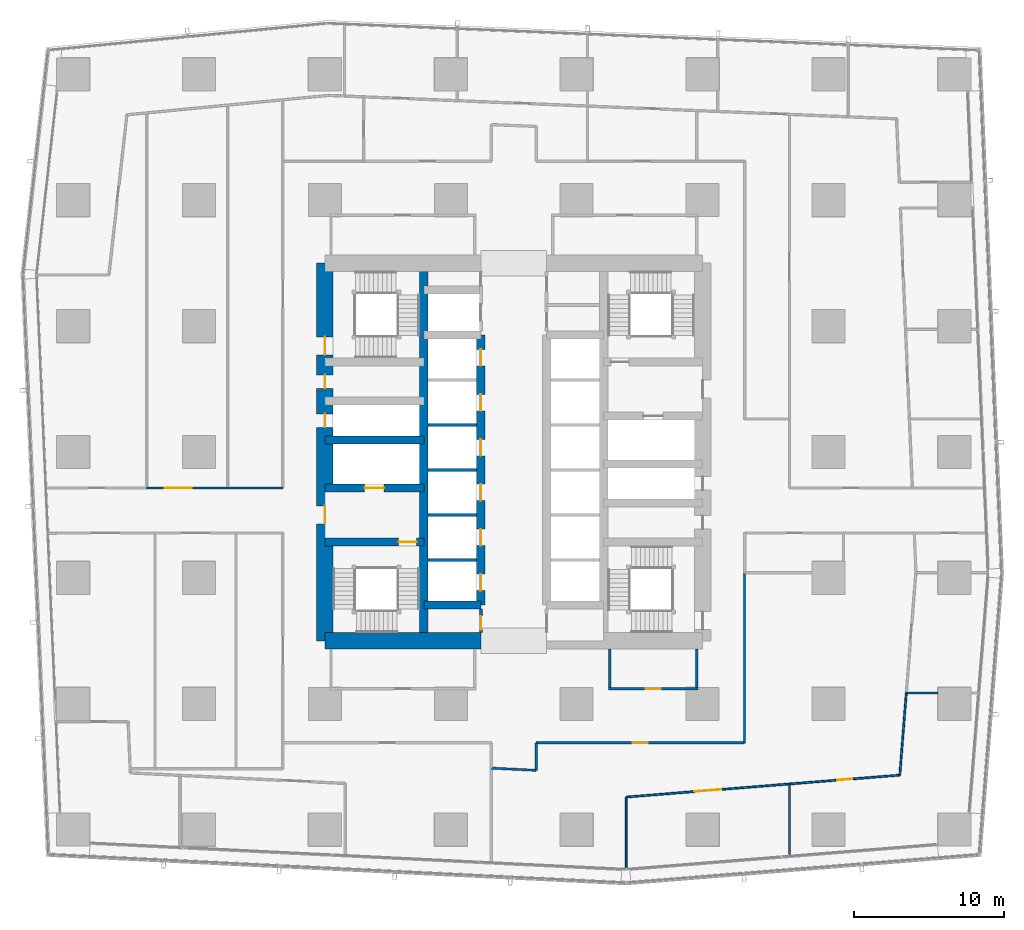
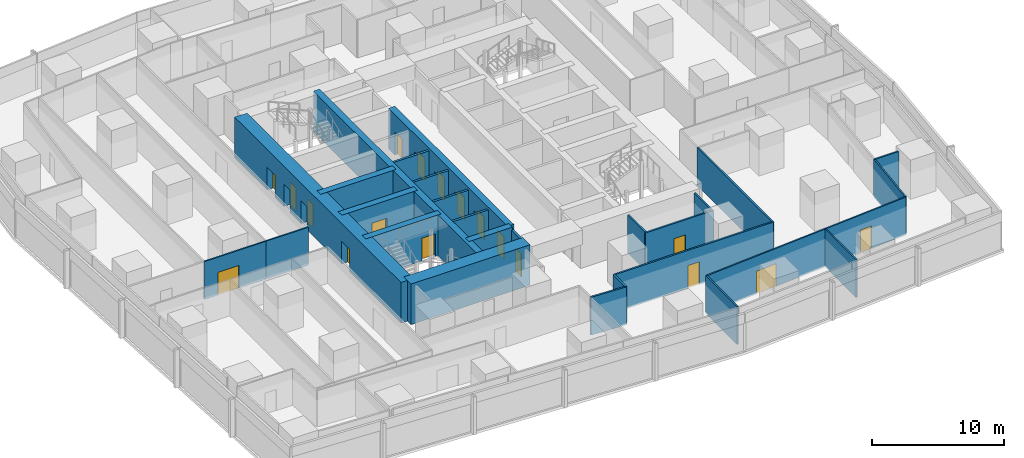
# One storey, part 32 of 44: 28 walls, 18 doors, 18 openings.
"""IFC4 building model written with IfcOpenShell, lengths in metres."""

from ifc_helpers import new_model, si_unit, direction, frame, frame_2d, origin, place, context, subcontext, project, spatial, rectangle, extrude, material, layer, layer_set, type_object, element, fill, save


model = new_model("IFC4")

# Units and contexts
model_context = context("Model", 3, precision=1e-05, world=origin(), true_north=direction((0.0, 1.0)))
body_context = subcontext(model_context, "Body", "Model", "MODEL_VIEW")
ifc_project = project(units=[si_unit("LENGTHUNIT", "METRE"), si_unit("AREAUNIT", "SQUARE_METRE"), si_unit("VOLUMEUNIT", "CUBIC_METRE"), si_unit("PLANEANGLEUNIT", "RADIAN"), si_unit("MASSUNIT", "GRAM", prefix="KILO")], contexts=[model_context])

# Site, building, storey
site_placement = place(None, origin())
site = spatial("IfcSite", under=ifc_project, at=site_placement, CompositionType="ELEMENT")
building_placement = place(site_placement, origin())
building = spatial("IfcBuilding", under=site, at=building_placement, Name="Rekha Terrace Tower", CompositionType="ELEMENT")
storey_placement = place(building_placement, frame((0.0, 0.0, 51.64990234375)))
storey = spatial("IfcBuildingStorey", under=building, at=storey_placement, Name="L12", CompositionType="ELEMENT", Elevation=51.64990234375)

# Wall
ifc_material_1 = material(Name="Concrete M70", Category="concrete")
ifc_layer_1 = layer(ifc_material_1, 0.550048828125)
ifc_layer_set_1 = layer_set([ifc_layer_1], Name="Concrete M70")
wall_type_1 = type_object("IfcWallType", Name="CI1 550 core internal shear wall", PredefinedType="SHEAR", material=ifc_layer_set_1)
wall_1_placement = place(storey_placement, frame((31.800048828125, 21.0, 0.0), z_axis=(0.0, 0.0, 1.0), x_axis=(0.0, 1.0, 0.0)))
element("IfcWall", 1, at=wall_1_placement, inside=storey, type_object=wall_type_1, Name="Core wall X318 L12", PredefinedType="SHEAR", context=body_context, shape_type="SweptSolid", body=[
    extrude(rectangle(XDim=25.199951171875, YDim=0.550048828125, at=frame_2d((12.60009765625, 0.0))), origin(), (0.0, 0.0, 1.0), 3.75),
])

# Wall, openings, doors
wall_2_placement = place(storey_placement, frame((35.60009765625, 23.39990234375, 0.0), z_axis=(0.0, 0.0, 1.0), x_axis=(0.0, 1.0, 0.0)))
wall_2 = element("IfcWall", 2, at=wall_2_placement, inside=storey, type_object=wall_type_1, Name="Core wall X356 L12", PredefinedType="SHEAR", context=body_context, shape_type="SweptSolid", body=[
    extrude(rectangle(XDim=18.0, YDim=0.550048828125, at=frame_2d((9.0, 0.0))), origin(), (0.0, 0.0, 1.0), 3.75),
])
opening_1_placement = place(wall_2_placement, frame((0.949951171875, 0.0, 0.0)))
opening_1 = element("IfcOpeningElement", 3, at=opening_1_placement, cuts=wall_2, Name="Opening LD1", PredefinedType="OPENING", context=body_context, shape_type="SweptSolid", body=[
    extrude(rectangle(XDim=1.10009765625, YDim=2.10009765625, at=frame_2d((0.550048828125, 1.050048828125))), frame((0.0, 0.284912109375, 0.0), z_axis=(0.0, -1.0, 0.0), x_axis=(1.0, 0.0, 0.0)), (0.0, 0.0, 1.0), 0.570068359375),
])
opening_2_placement = place(wall_2_placement, frame((3.949951171875, 0.0, 0.0)))
opening_2 = element("IfcOpeningElement", 4, at=opening_2_placement, cuts=wall_2, Name="Opening LD1", PredefinedType="OPENING", context=body_context, shape_type="SweptSolid", body=[
    extrude(rectangle(XDim=1.10009765625, YDim=2.10009765625, at=frame_2d((0.550048828125, 1.050048828125))), frame((0.0, 0.284912109375, 0.0), z_axis=(0.0, -1.0, 0.0), x_axis=(1.0, 0.0, 0.0)), (0.0, 0.0, 1.0), 0.570068359375),
])
opening_3_placement = place(wall_2_placement, frame((6.949951171875, 0.0, 0.0)))
opening_3 = element("IfcOpeningElement", 5, at=opening_3_placement, cuts=wall_2, Name="Opening LD1", PredefinedType="OPENING", context=body_context, shape_type="SweptSolid", body=[
    extrude(rectangle(XDim=1.10009765625, YDim=2.10009765625, at=frame_2d((0.550048828125, 1.050048828125))), frame((0.0, 0.284912109375, 0.0), z_axis=(0.0, -1.0, 0.0), x_axis=(1.0, 0.0, 0.0)), (0.0, 0.0, 1.0), 0.570068359375),
])
opening_4_placement = place(wall_2_placement, frame((9.949951171875, 0.0, 0.0)))
opening_4 = element("IfcOpeningElement", 6, at=opening_4_placement, cuts=wall_2, Name="Opening LD1", PredefinedType="OPENING", context=body_context, shape_type="SweptSolid", body=[
    extrude(rectangle(XDim=1.10009765625, YDim=2.10009765625, at=frame_2d((0.550048828125, 1.050048828125))), frame((0.0, 0.284912109375, 0.0), z_axis=(0.0, -1.0, 0.0), x_axis=(1.0, 0.0, 0.0)), (0.0, 0.0, 1.0), 0.570068359375),
])
opening_5_placement = place(wall_2_placement, frame((12.949951171875, 0.0, 0.0)))
opening_5 = element("IfcOpeningElement", 7, at=opening_5_placement, cuts=wall_2, Name="Opening LD1", PredefinedType="OPENING", context=body_context, shape_type="SweptSolid", body=[
    extrude(rectangle(XDim=1.10009765625, YDim=2.10009765625, at=frame_2d((0.550048828125, 1.050048828125))), frame((0.0, 0.284912109375, 0.0), z_axis=(0.0, -1.0, 0.0), x_axis=(1.0, 0.0, 0.0)), (0.0, 0.0, 1.0), 0.570068359375),
])
opening_6_placement = place(wall_2_placement, frame((15.949951171875, 0.0, 0.0)))
opening_6 = element("IfcOpeningElement", 8, at=opening_6_placement, cuts=wall_2, Name="Opening LD1", PredefinedType="OPENING", context=body_context, shape_type="SweptSolid", body=[
    extrude(rectangle(XDim=1.10009765625, YDim=2.10009765625, at=frame_2d((0.550048828125, 1.050048828125))), frame((0.0, 0.284912109375, 0.0), z_axis=(0.0, -1.0, 0.0), x_axis=(1.0, 0.0, 0.0)), (0.0, 0.0, 1.0), 0.570068359375),
])
ifc_material_2 = material(Name="Stainless steel sliding landing door", Category="steel")
door_type_1 = type_object("IfcDoorType", Name="LD1 1100x2100 lift landing door", OperationType="SLIDING_TO_LEFT", PredefinedType="USERDEFINED", material=ifc_material_2)
door_1_placement = place(opening_1_placement, origin())
door_1 = element("IfcDoor", 9, at=door_1_placement, inside=storey, type_object=door_type_1, Name="Lift A1 landing door L12", ObjectType="LIFT LANDING DOOR", OperationType="SLIDING_TO_LEFT", OverallHeight=2.10009765625, OverallWidth=1.10009765625, PredefinedType="USERDEFINED", context=body_context, shape_type="SweptSolid", body=[
    extrude(rectangle(XDim=1.10009765625, YDim=2.10009765625, at=frame_2d((0.550048828125, 1.050048828125))), frame((0.0, 0.02490234375, 0.0), z_axis=(0.0, -1.0, 0.0), x_axis=(1.0, 0.0, 0.0)), (0.0, 0.0, 1.0), 0.050048828125),
])
fill(opening_1, door_1)
door_2_placement = place(opening_2_placement, origin())
door_2 = element("IfcDoor", 10, at=door_2_placement, inside=storey, type_object=door_type_1, Name="Lift A2 landing door L12", ObjectType="LIFT LANDING DOOR", OperationType="SLIDING_TO_LEFT", OverallHeight=2.10009765625, OverallWidth=1.10009765625, PredefinedType="USERDEFINED", context=body_context, shape_type="SweptSolid", body=[
    extrude(rectangle(XDim=1.10009765625, YDim=2.10009765625, at=frame_2d((0.550048828125, 1.050048828125))), frame((0.0, 0.02490234375, 0.0), z_axis=(0.0, -1.0, 0.0), x_axis=(1.0, 0.0, 0.0)), (0.0, 0.0, 1.0), 0.050048828125),
])
fill(opening_2, door_2)
door_3_placement = place(opening_3_placement, origin())
door_3 = element("IfcDoor", 11, at=door_3_placement, inside=storey, type_object=door_type_1, Name="Lift A3 landing door L12", ObjectType="LIFT LANDING DOOR", OperationType="SLIDING_TO_LEFT", OverallHeight=2.10009765625, OverallWidth=1.10009765625, PredefinedType="USERDEFINED", context=body_context, shape_type="SweptSolid", body=[
    extrude(rectangle(XDim=1.10009765625, YDim=2.10009765625, at=frame_2d((0.550048828125, 1.050048828125))), frame((0.0, 0.02490234375, 0.0), z_axis=(0.0, -1.0, 0.0), x_axis=(1.0, 0.0, 0.0)), (0.0, 0.0, 1.0), 0.050048828125),
])
fill(opening_3, door_3)
door_4_placement = place(opening_4_placement, origin())
door_4 = element("IfcDoor", 12, at=door_4_placement, inside=storey, type_object=door_type_1, Name="Lift A4 landing door L12", ObjectType="LIFT LANDING DOOR", OperationType="SLIDING_TO_LEFT", OverallHeight=2.10009765625, OverallWidth=1.10009765625, PredefinedType="USERDEFINED", context=body_context, shape_type="SweptSolid", body=[
    extrude(rectangle(XDim=1.10009765625, YDim=2.10009765625, at=frame_2d((0.550048828125, 1.050048828125))), frame((0.0, 0.02490234375, 0.0), z_axis=(0.0, -1.0, 0.0), x_axis=(1.0, 0.0, 0.0)), (0.0, 0.0, 1.0), 0.050048828125),
])
fill(opening_4, door_4)
door_5_placement = place(opening_5_placement, origin())
door_5 = element("IfcDoor", 13, at=door_5_placement, inside=storey, type_object=door_type_1, Name="Lift A5 landing door L12", ObjectType="LIFT LANDING DOOR", OperationType="SLIDING_TO_LEFT", OverallHeight=2.10009765625, OverallWidth=1.10009765625, PredefinedType="USERDEFINED", context=body_context, shape_type="SweptSolid", body=[
    extrude(rectangle(XDim=1.10009765625, YDim=2.10009765625, at=frame_2d((0.550048828125, 1.050048828125))), frame((0.0, 0.02490234375, 0.0), z_axis=(0.0, -1.0, 0.0), x_axis=(1.0, 0.0, 0.0)), (0.0, 0.0, 1.0), 0.050048828125),
])
fill(opening_5, door_5)
door_6_placement = place(opening_6_placement, origin())
door_6 = element("IfcDoor", 14, at=door_6_placement, inside=storey, type_object=door_type_1, Name="Lift A6 landing door L12", ObjectType="LIFT LANDING DOOR", OperationType="SLIDING_TO_LEFT", OverallHeight=2.10009765625, OverallWidth=1.10009765625, PredefinedType="USERDEFINED", context=body_context, shape_type="SweptSolid", body=[
    extrude(rectangle(XDim=1.10009765625, YDim=2.10009765625, at=frame_2d((0.550048828125, 1.050048828125))), frame((0.0, 0.02490234375, 0.0), z_axis=(0.0, -1.0, 0.0), x_axis=(1.0, 0.0, 0.0)), (0.0, 0.0, 1.0), 0.050048828125),
])
fill(opening_6, door_6)

# Wall
wall_3_placement = place(storey_placement, frame((31.800048828125, 23.39990234375, 0.0), z_axis=(0.0, 0.0, 1.0), x_axis=(1.0, 0.0, 0.0)))
element("IfcWall", 15, at=wall_3_placement, inside=storey, type_object=wall_type_1, Name="Core wall Y234W L12", PredefinedType="SHEAR", context=body_context, shape_type="SweptSolid", body=[
    extrude(rectangle(XDim=3.800048828125, YDim=0.550048828125, at=frame_2d((1.89990234375, 0.0))), origin(), (0.0, 0.0, 1.0), 3.75),
])

# Wall, opening, door
wall_4_placement = place(storey_placement, frame((25.199951171875, 27.60009765625, 0.0), z_axis=(0.0, 0.0, 1.0), x_axis=(1.0, 0.0, 0.0)))
wall_4 = element("IfcWall", 16, at=wall_4_placement, inside=storey, type_object=wall_type_1, Name="Core wall Y276W L12", PredefinedType="SHEAR", context=body_context, shape_type="SweptSolid", body=[
    extrude(rectangle(XDim=6.60009765625, YDim=0.550048828125, at=frame_2d((3.300048828125, 0.0))), origin(), (0.0, 0.0, 1.0), 3.75),
])
opening_7_placement = place(wall_4_placement, frame((4.925048828125, 0.0, 0.0)))
opening_7 = element("IfcOpeningElement", 17, at=opening_7_placement, cuts=wall_4, Name="Opening D1", PredefinedType="OPENING", context=body_context, shape_type="SweptSolid", body=[
    extrude(rectangle(XDim=1.199951171875, YDim=2.10009765625, at=frame_2d((0.60009765625, 1.050048828125))), frame((0.0, 0.284912109375, 0.0), z_axis=(0.0, -1.0, 0.0), x_axis=(1.0, 0.0, 0.0)), (0.0, 0.0, 1.0), 0.570068359375),
])
ifc_material_3 = material(Name="Steel fire door", Category="steel")
door_type_2 = type_object("IfcDoorType", Name="D1 1200x2100 stair fire door", OperationType="SINGLE_SWING_RIGHT", PredefinedType="DOOR", material=ifc_material_3)
door_7_placement = place(opening_7_placement, origin())
door_7 = element("IfcDoor", 18, at=door_7_placement, inside=storey, type_object=door_type_2, Name="Stair ST1 door L12", OperationType="SINGLE_SWING_RIGHT", OverallHeight=2.10009765625, OverallWidth=1.199951171875, PredefinedType="DOOR", context=body_context, shape_type="SweptSolid", body=[
    extrude(rectangle(XDim=1.199951171875, YDim=2.10009765625, at=frame_2d((0.60009765625, 1.050048828125))), frame((0.0, 0.02490234375, 0.0), z_axis=(0.0, -1.0, 0.0), x_axis=(1.0, 0.0, 0.0)), (0.0, 0.0, 1.0), 0.050048828125),
])
fill(opening_7, door_7)

wall_5_placement = place(storey_placement, frame((25.199951171875, 31.199951171875, 0.0), z_axis=(0.0, 0.0, 1.0), x_axis=(1.0, 0.0, 0.0)))
wall_5 = element("IfcWall", 19, at=wall_5_placement, inside=storey, type_object=wall_type_1, Name="Core wall Y312W L12", PredefinedType="SHEAR", context=body_context, shape_type="SweptSolid", body=[
    extrude(rectangle(XDim=6.60009765625, YDim=0.550048828125, at=frame_2d((3.300048828125, 0.0))), origin(), (0.0, 0.0, 1.0), 3.75),
])
opening_8_placement = place(wall_5_placement, frame((2.64990234375, 0.0, 0.0)))
opening_8 = element("IfcOpeningElement", 20, at=opening_8_placement, cuts=wall_5, Name="Opening LD2", PredefinedType="OPENING", context=body_context, shape_type="SweptSolid", body=[
    extrude(rectangle(XDim=1.300048828125, YDim=2.10009765625, at=frame_2d((0.64990234375, 1.050048828125))), frame((0.0, 0.284912109375, 0.0), z_axis=(0.0, -1.0, 0.0), x_axis=(1.0, 0.0, 0.0)), (0.0, 0.0, 1.0), 0.570068359375),
])
door_type_3 = type_object("IfcDoorType", Name="LD2 1300x2100 fire lift landing door", OperationType="SLIDING_TO_LEFT", PredefinedType="USERDEFINED", material=ifc_material_2)
door_8_placement = place(opening_8_placement, origin())
door_8 = element("IfcDoor", 21, at=door_8_placement, inside=storey, type_object=door_type_3, Name="Lift FL1 landing door L12", ObjectType="LIFT LANDING DOOR", OperationType="SLIDING_TO_LEFT", OverallHeight=2.10009765625, OverallWidth=1.300048828125, PredefinedType="USERDEFINED", context=body_context, shape_type="SweptSolid", body=[
    extrude(rectangle(XDim=1.300048828125, YDim=2.10009765625, at=frame_2d((0.64990234375, 1.050048828125))), frame((0.0, 0.02490234375, 0.0), z_axis=(0.0, -1.0, 0.0), x_axis=(1.0, 0.0, 0.0)), (0.0, 0.0, 1.0), 0.050048828125),
])
fill(opening_8, door_8)

# Walls
wall_6_placement = place(storey_placement, frame((25.199951171875, 34.39990234375, 0.0), z_axis=(0.0, 0.0, 1.0), x_axis=(1.0, 0.0, 0.0)))
element("IfcWall", 22, at=wall_6_placement, inside=storey, type_object=wall_type_1, Name="Core wall Y344W L12", PredefinedType="SHEAR", context=body_context, shape_type="SweptSolid", body=[
    extrude(rectangle(XDim=6.60009765625, YDim=0.550048828125, at=frame_2d((3.300048828125, 0.0))), origin(), (0.0, 0.0, 1.0), 3.75),
])
ifc_layer_2 = layer(ifc_material_1, 1.10009765625)
ifc_layer_set_2 = layer_set([ifc_layer_2], Name="Concrete M70")
wall_type_2 = type_object("IfcWallType", Name="SW1 1100 core outer shear wall", PredefinedType="SHEAR", material=ifc_layer_set_2)
wall_7_placement = place(storey_placement, frame((25.199951171875, 21.0, 0.0), z_axis=(0.0, 0.0, 1.0), x_axis=(1.0, 0.0, 0.0)))
element("IfcWall", 23, at=wall_7_placement, inside=storey, type_object=wall_type_2, Name="Core wall S1 L12", PredefinedType="SHEAR", context=body_context, shape_type="SweptSolid", body=[
    extrude(rectangle(XDim=10.400146484375, YDim=1.10009765625, at=frame_2d((5.2001953125, 0.0))), origin(), (0.0, 0.0, 1.0), 3.75),
])

# Wall, openings, doors
wall_8_placement = place(storey_placement, frame((25.199951171875, 21.0, 0.0), z_axis=(0.0, 0.0, 1.0), x_axis=(0.0, 1.0, 0.0)))
wall_8 = element("IfcWall", 24, at=wall_8_placement, inside=storey, type_object=wall_type_2, Name="Core wall W L12", PredefinedType="SHEAR", context=body_context, shape_type="SweptSolid", body=[
    extrude(rectangle(XDim=25.199951171875, YDim=1.10009765625, at=frame_2d((12.60009765625, 0.0))), origin(), (0.0, 0.0, 1.0), 3.75),
])
opening_9_placement = place(wall_8_placement, frame((7.800048828125, 0.0, 0.0)))
opening_9 = element("IfcOpeningElement", 25, at=opening_9_placement, cuts=wall_8, Name="Opening D2", PredefinedType="OPENING", context=body_context, shape_type="SweptSolid", body=[
    extrude(rectangle(XDim=1.199951171875, YDim=2.10009765625, at=frame_2d((0.60009765625, 1.050048828125))), frame((0.0, 0.56005859375, 0.0), z_axis=(0.0, -1.0, 0.0), x_axis=(1.0, 0.0, 0.0)), (0.0, 0.0, 1.0), 1.1201171875),
])
opening_10_placement = place(wall_8_placement, frame((14.25, 0.0, 0.0)))
opening_10 = element("IfcOpeningElement", 26, at=opening_10_placement, cuts=wall_8, Name="Opening D5", PredefinedType="OPENING", context=body_context, shape_type="SweptSolid", body=[
    extrude(rectangle(XDim=0.89990234375, YDim=2.10009765625, at=frame_2d((0.449951171875, 1.050048828125))), frame((0.0, 0.56005859375, 0.0), z_axis=(0.0, -1.0, 0.0), x_axis=(1.0, 0.0, 0.0)), (0.0, 0.0, 1.0), 1.1201171875),
])
opening_11_placement = place(wall_8_placement, frame((16.85009765625, 0.0, 0.0)))
opening_11 = element("IfcOpeningElement", 27, at=opening_11_placement, cuts=wall_8, Name="Opening D5", PredefinedType="OPENING", context=body_context, shape_type="SweptSolid", body=[
    extrude(rectangle(XDim=0.89990234375, YDim=2.10009765625, at=frame_2d((0.449951171875, 1.050048828125))), frame((0.0, 0.56005859375, 0.0), z_axis=(0.0, -1.0, 0.0), x_axis=(1.0, 0.0, 0.0)), (0.0, 0.0, 1.0), 1.1201171875),
])
opening_12_placement = place(wall_8_placement, frame((19.074951171875, 0.0, 0.0)))
opening_12 = element("IfcOpeningElement", 28, at=opening_12_placement, cuts=wall_8, Name="Opening D1", PredefinedType="OPENING", context=body_context, shape_type="SweptSolid", body=[
    extrude(rectangle(XDim=1.199951171875, YDim=2.10009765625, at=frame_2d((0.60009765625, 1.050048828125))), frame((0.0, 0.56005859375, 0.0), z_axis=(0.0, -1.0, 0.0), x_axis=(1.0, 0.0, 0.0)), (0.0, 0.0, 1.0), 1.1201171875),
])
door_9_placement = place(opening_12_placement, origin())
door_9 = element("IfcDoor", 29, at=door_9_placement, inside=storey, type_object=door_type_2, Name="Stair ST4 door L12", OperationType="SINGLE_SWING_RIGHT", OverallHeight=2.10009765625, OverallWidth=1.199951171875, PredefinedType="DOOR", context=body_context, shape_type="SweptSolid", body=[
    extrude(rectangle(XDim=1.199951171875, YDim=2.10009765625, at=frame_2d((0.60009765625, 1.050048828125))), frame((0.0, 0.02490234375, 0.0), z_axis=(0.0, -1.0, 0.0), x_axis=(1.0, 0.0, 0.0)), (0.0, 0.0, 1.0), 0.050048828125),
])
fill(opening_12, door_9)
door_type_4 = type_object("IfcDoorType", Name="D2 1200x2100 firefighting lobby door", OperationType="SINGLE_SWING_LEFT", PredefinedType="DOOR", material=ifc_material_3)
door_10_placement = place(opening_9_placement, origin())
door_10 = element("IfcDoor", 30, at=door_10_placement, inside=storey, type_object=door_type_4, Name="Door flb1 L12", OperationType="SINGLE_SWING_LEFT", OverallHeight=2.10009765625, OverallWidth=1.199951171875, PredefinedType="DOOR", context=body_context, shape_type="SweptSolid", body=[
    extrude(rectangle(XDim=1.199951171875, YDim=2.10009765625, at=frame_2d((0.60009765625, 1.050048828125))), frame((0.0, 0.02490234375, 0.0), z_axis=(0.0, -1.0, 0.0), x_axis=(1.0, 0.0, 0.0)), (0.0, 0.0, 1.0), 0.050048828125),
])
fill(opening_9, door_10)
door_type_5 = type_object("IfcDoorType", Name="D5 900x2100 riser access door", OperationType="SINGLE_SWING_LEFT", PredefinedType="DOOR", material=ifc_material_3)
door_11_placement = place(opening_10_placement, origin())
door_11 = element("IfcDoor", 31, at=door_11_placement, inside=storey, type_object=door_type_5, Name="Door rs1 L12", OperationType="SINGLE_SWING_LEFT", OverallHeight=2.10009765625, OverallWidth=0.89990234375, PredefinedType="DOOR", context=body_context, shape_type="SweptSolid", body=[
    extrude(rectangle(XDim=0.89990234375, YDim=2.10009765625, at=frame_2d((0.449951171875, 1.050048828125))), frame((0.0, 0.02490234375, 0.0), z_axis=(0.0, -1.0, 0.0), x_axis=(1.0, 0.0, 0.0)), (0.0, 0.0, 1.0), 0.050048828125),
])
fill(opening_10, door_11)
door_12_placement = place(opening_11_placement, origin())
door_12 = element("IfcDoor", 32, at=door_12_placement, inside=storey, type_object=door_type_5, Name="Door elw L12", OperationType="SINGLE_SWING_LEFT", OverallHeight=2.10009765625, OverallWidth=0.89990234375, PredefinedType="DOOR", context=body_context, shape_type="SweptSolid", body=[
    extrude(rectangle(XDim=0.89990234375, YDim=2.10009765625, at=frame_2d((0.449951171875, 1.050048828125))), frame((0.0, 0.02490234375, 0.0), z_axis=(0.0, -1.0, 0.0), x_axis=(1.0, 0.0, 0.0)), (0.0, 0.0, 1.0), 0.050048828125),
])
fill(opening_11, door_12)

# Wall, opening, door
ifc_material_4 = material(Name="Concrete block masonry, 1 hour", Category="masonry")
ifc_layer_3 = layer(ifc_material_4, 0.14990234375)
ifc_layer_set_3 = layer_set([ifc_layer_3], Name="Concrete block masonry, 1 hour")
wall_type_3 = type_object("IfcWallType", Name="WP2 150 tenancy partition", PredefinedType="PARTITIONING", material=ifc_layer_set_3)
wall_9_placement = place(storey_placement, frame((44.125, 17.800048828125, 0.0), z_axis=(0.0, 0.0, 1.0), x_axis=(1.0, 0.0, 0.0)))
wall_9 = element("IfcWall", 33, at=wall_9_placement, inside=storey, type_object=wall_type_3, Name="Men's WC wall L12", PredefinedType="PARTITIONING", context=body_context, shape_type="SweptSolid", body=[
    extrude(rectangle(XDim=5.949951171875, YDim=0.14990234375, at=frame_2d((2.97509765625, 0.0))), origin(), (0.0, 0.0, 1.0), 3.5),
])
opening_13_placement = place(wall_9_placement, frame((2.47509765625, 0.0, 0.0)))
opening_13 = element("IfcOpeningElement", 34, at=opening_13_placement, cuts=wall_9, Name="Opening D3", PredefinedType="OPENING", context=body_context, shape_type="SweptSolid", body=[
    extrude(rectangle(XDim=1.0, YDim=2.10009765625, at=frame_2d((0.5, 1.050048828125))), frame((0.0, 0.0849609375, 0.0), z_axis=(0.0, -1.0, 0.0), x_axis=(1.0, 0.0, 0.0)), (0.0, 0.0, 1.0), 0.169921875),
])
ifc_material_5 = material(Name="Laminated timber fire door", Category="wood")
door_type_6 = type_object("IfcDoorType", Name="D3 1000x2100 WC door", OperationType="SINGLE_SWING_LEFT", PredefinedType="DOOR", material=ifc_material_5)
door_13_placement = place(opening_13_placement, origin())
door_13 = element("IfcDoor", 35, at=door_13_placement, inside=storey, type_object=door_type_6, Name="Door men's wc L12", OperationType="SINGLE_SWING_LEFT", OverallHeight=2.10009765625, OverallWidth=1.0, PredefinedType="DOOR", context=body_context, shape_type="SweptSolid", body=[
    extrude(rectangle(XDim=1.0, YDim=2.10009765625, at=frame_2d((0.5, 1.050048828125))), frame((0.0, 0.02490234375, 0.0), z_axis=(0.0, -1.0, 0.0), x_axis=(1.0, 0.0, 0.0)), (0.0, 0.0, 1.0), 0.050048828125),
])
fill(opening_13, door_13)

# Walls
for number, where, z_axis, x_axis, name in (
    (36, (44.199951171875, 17.875, 0.0), (0.0, 0.0, 1.0), (0.0, 1.0, 0.0), "Men's WC wall L12"),
    (37, (50.0, 17.875, 0.0), (0.0, 0.0, 1.0), (0.0, 1.0, 0.0), "Men's WC wall L12"),
):
    element("IfcWall", number, at=place(storey_placement, frame(where, z_axis=z_axis, x_axis=x_axis)), inside=storey, type_object=wall_type_3, Name=name, PredefinedType="PARTITIONING", context=body_context, shape_type="SweptSolid", body=[
        extrude(rectangle(XDim=2.574951171875, YDim=0.14990234375, at=frame_2d((1.28759765625, 0.0))), origin(), (0.0, 0.0, 1.0), 3.5),
    ])
wall_10_placement = place(storey_placement, frame((36.301025390625, 12.510009765625, 0.0), z_axis=(0.0, 0.0, 1.0), x_axis=(0.998801323594, -0.048948094823, 0.0)))
element("IfcWall", 38, at=wall_10_placement, inside=storey, type_object=wall_type_3, Name="Partition L12-O1", PredefinedType="PARTITIONING", context=body_context, shape_type="SweptSolid", body=[
    extrude(rectangle(XDim=3.002685546875, YDim=0.14990234375, at=frame_2d((1.50146484375, 0.0))), origin(), (0.0, 0.0, 1.0), 3.5),
])
wall_11_placement = place(storey_placement, frame((39.300048828125, 12.363037109375, 0.0), z_axis=(0.0, 0.0, 1.0), x_axis=(0.0, 1.0, 0.0)))
element("IfcWall", 39, at=wall_11_placement, inside=storey, type_object=wall_type_3, Name="Partition L12-O1", PredefinedType="PARTITIONING", context=body_context, shape_type="SweptSolid", body=[
    extrude(rectangle(XDim=1.8369140625, YDim=0.14990234375, at=frame_2d((0.91845703125, 0.0))), origin(), (0.0, 0.0, 1.0), 3.5),
])

# Wall, opening, door
wall_12_placement = place(storey_placement, frame((39.300048828125, 14.199951171875, 0.0), z_axis=(0.0, 0.0, 1.0), x_axis=(1.0, 0.0, 0.0)))
wall_12 = element("IfcWall", 40, at=wall_12_placement, inside=storey, type_object=wall_type_3, Name="Partition L12-O1", PredefinedType="PARTITIONING", context=body_context, shape_type="SweptSolid", body=[
    extrude(rectangle(XDim=13.89990234375, YDim=0.14990234375, at=frame_2d((6.949951171875, 0.0))), origin(), (0.0, 0.0, 1.0), 3.5),
])
opening_14_placement = place(wall_12_placement, frame((6.449951171875, 0.0, 0.0)))
opening_14 = element("IfcOpeningElement", 41, at=opening_14_placement, cuts=wall_12, Name="Opening D9", PredefinedType="OPENING", context=body_context, shape_type="SweptSolid", body=[
    extrude(rectangle(XDim=1.0, YDim=2.10009765625, at=frame_2d((0.5, 1.050048828125))), frame((0.0, 0.0849609375, 0.0), z_axis=(0.0, -1.0, 0.0), x_axis=(1.0, 0.0, 0.0)), (0.0, 0.0, 1.0), 0.169921875),
])
ifc_material_6 = material(Name="Timber fire door", Category="wood")
door_type_7 = type_object("IfcDoorType", Name="D9 1000x2100 office door", OperationType="SINGLE_SWING_LEFT", PredefinedType="DOOR", material=ifc_material_6)
door_14_placement = place(opening_14_placement, origin())
door_14 = element("IfcDoor", 42, at=door_14_placement, inside=storey, type_object=door_type_7, Name="Door open-plan office L12", OperationType="SINGLE_SWING_LEFT", OverallHeight=2.10009765625, OverallWidth=1.0, PredefinedType="DOOR", context=body_context, shape_type="SweptSolid", body=[
    extrude(rectangle(XDim=1.0, YDim=2.10009765625, at=frame_2d((0.5, 1.050048828125))), frame((0.0, 0.02490234375, 0.0), z_axis=(0.0, -1.0, 0.0), x_axis=(1.0, 0.0, 0.0)), (0.0, 0.0, 1.0), 0.050048828125),
])
fill(opening_14, door_14)

# Wall
wall_13_placement = place(storey_placement, frame((53.199951171875, 14.199951171875, 0.0), z_axis=(0.0, 0.0, 1.0), x_axis=(0.0, 1.0, 0.0)))
element("IfcWall", 43, at=wall_13_placement, inside=storey, type_object=wall_type_3, Name="Partition L12-O1", PredefinedType="PARTITIONING", context=body_context, shape_type="SweptSolid", body=[
    extrude(rectangle(XDim=11.35205078125, YDim=0.14990234375, at=frame_2d((5.676025390625, 0.0))), origin(), (0.0, 0.0, 1.0), 3.5),
])

# Wall, opening, door
ifc_material_7 = material(Name="Two layers of fire-rated gypsum board each side on steel studs, acoustic quilt, 1 hour", Category="steel")
ifc_layer_4 = layer(ifc_material_7, 0.125)
ifc_layer_set_4 = layer_set([ifc_layer_4], Name="Two layers of fire-rated gypsum board each side on steel studs, acoustic quilt, 1 hour")
wall_type_4 = type_object("IfcWallType", Name="WP3 125 office partition", PredefinedType="PARTITIONING", material=ifc_layer_set_4)
wall_14_placement = place(storey_placement, frame((45.304931640625, 10.580078125, 0.0), z_axis=(0.0, 0.0, 1.0), x_axis=(0.99680425646, 0.079882878656, 0.0)))
wall_14 = element("IfcWall", 44, at=wall_14_placement, inside=storey, type_object=wall_type_4, Name="Partition L12-02", PredefinedType="PARTITIONING", context=body_context, shape_type="SweptSolid", body=[
    extrude(rectangle(XDim=10.926025390625, YDim=0.125, at=frame_2d((5.462890625, 0.0))), origin(), (0.0, 0.0, 1.0), 3.5),
])
opening_15_placement = place(wall_14_placement, frame((4.56298828125, 0.0, 0.0)))
opening_15 = element("IfcOpeningElement", 45, at=opening_15_placement, cuts=wall_14, Name="Opening D8", PredefinedType="OPENING", context=body_context, shape_type="SweptSolid", body=[
    extrude(rectangle(XDim=1.800048828125, YDim=2.10009765625, at=frame_2d((0.89990234375, 1.050048828125))), frame((0.0, 0.072509765625, 0.0), z_axis=(0.0, -1.0, 0.0), x_axis=(1.0, 0.0, 0.0)), (0.0, 0.0, 1.0), 0.14501953125),
])
door_type_8 = type_object("IfcDoorType", Name="D8 1800x2100 double leaf door", OperationType="DOUBLE_DOOR_SINGLE_SWING", PredefinedType="DOOR", material=ifc_material_6)
door_15_placement = place(opening_15_placement, origin())
door_15 = element("IfcDoor", 46, at=door_15_placement, inside=storey, type_object=door_type_8, Name="Door reference library L12", OperationType="DOUBLE_DOOR_SINGLE_SWING", OverallHeight=2.10009765625, OverallWidth=1.800048828125, PredefinedType="DOOR", context=body_context, shape_type="SweptSolid", body=[
    extrude(rectangle(XDim=1.800048828125, YDim=2.10009765625, at=frame_2d((0.89990234375, 1.050048828125))), frame((0.0, 0.02490234375, 0.0), z_axis=(0.0, -1.0, 0.0), x_axis=(1.0, 0.0, 0.0)), (0.0, 0.0, 1.0), 0.050048828125),
])
fill(opening_15, door_15)

# Walls
wall_15_placement = place(storey_placement, frame((56.196044921875, 11.452880859375, 0.0), z_axis=(0.0, 0.0, 1.0), x_axis=(0.0, -1.0, 0.0)))
element("IfcWall", 47, at=wall_15_placement, inside=storey, type_object=wall_type_4, Name="Partition L12-02", PredefinedType="PARTITIONING", context=body_context, shape_type="SweptSolid", body=[
    extrude(rectangle(XDim=4.73583984375, YDim=0.125, at=frame_2d((2.367919921875, 0.0))), origin(), (0.0, 0.0, 1.0), 3.5),
])
wall_16_placement = place(storey_placement, frame((45.304931640625, 5.844970703125, 0.0), z_axis=(0.0, 0.0, 1.0), x_axis=(0.0, 1.0, 0.0)))
element("IfcWall", 48, at=wall_16_placement, inside=storey, type_object=wall_type_4, Name="Partition L12-02", PredefinedType="PARTITIONING", context=body_context, shape_type="SweptSolid", body=[
    extrude(rectangle(XDim=4.735107421875, YDim=0.125, at=frame_2d((2.36767578125, 0.0))), origin(), (0.0, 0.0, 1.0), 3.5),
])

# Wall, opening, door
wall_17_placement = place(storey_placement, frame((56.197021484375, 11.452880859375, 0.0), z_axis=(0.0, 0.0, 1.0), x_axis=(0.996809280439, 0.079820163062, 0.0)))
wall_17 = element("IfcWall", 49, at=wall_17_placement, inside=storey, type_object=wall_type_4, Name="Partition L12-03", PredefinedType="PARTITIONING", context=body_context, shape_type="SweptSolid", body=[
    extrude(rectangle(XDim=7.38037109375, YDim=0.125, at=frame_2d((3.690185546875, 0.0))), origin(), (0.0, 0.0, 1.0), 3.5),
])
opening_16_placement = place(wall_17_placement, frame((3.18994140625, 0.0, 0.0)))
opening_16 = element("IfcOpeningElement", 50, at=opening_16_placement, cuts=wall_17, Name="Opening D9", PredefinedType="OPENING", context=body_context, shape_type="SweptSolid", body=[
    extrude(rectangle(XDim=1.0, YDim=2.10009765625, at=frame_2d((0.5, 1.050048828125))), frame((0.0, 0.072509765625, 0.0), z_axis=(0.0, -1.0, 0.0), x_axis=(1.0, 0.0, 0.0)), (0.0, 0.0, 1.0), 0.14501953125),
])
door_16_placement = place(opening_16_placement, origin())
door_16 = element("IfcDoor", 51, at=door_16_placement, inside=storey, type_object=door_type_7, Name="Door director's office L12", OperationType="SINGLE_SWING_LEFT", OverallHeight=2.10009765625, OverallWidth=1.0, PredefinedType="DOOR", context=body_context, shape_type="SweptSolid", body=[
    extrude(rectangle(XDim=1.0, YDim=2.10009765625, at=frame_2d((0.5, 1.050048828125))), frame((0.0, 0.02490234375, 0.0), z_axis=(0.0, -1.0, 0.0), x_axis=(1.0, 0.0, 0.0)), (0.0, 0.0, 1.0), 0.050048828125),
])
fill(opening_16, door_16)

# Walls
wall_18_placement = place(storey_placement, frame((63.553955078125, 12.0419921875, 0.0), z_axis=(0.0, 0.0, 1.0), x_axis=(0.078951000854, 0.996878497844, 0.0)))
element("IfcWall", 52, at=wall_18_placement, inside=storey, type_object=wall_type_4, Name="Partition L12-03", PredefinedType="PARTITIONING", context=body_context, shape_type="SweptSolid", body=[
    extrude(rectangle(XDim=5.498046875, YDim=0.125, at=frame_2d((2.7490234375, 0.0))), origin(), (0.0, 0.0, 1.0), 3.5),
])
wall_19_placement = place(storey_placement, frame((63.988037109375, 17.52294921875, 0.0), z_axis=(0.0, 0.0, 1.0), x_axis=(1.0, 0.0, 0.0)))
element("IfcWall", 53, at=wall_19_placement, inside=storey, type_object=wall_type_4, Name="Partition L12-03", PredefinedType="PARTITIONING", context=body_context, shape_type="SweptSolid", body=[
    extrude(rectangle(XDim=2.092041015625, YDim=0.125, at=frame_2d((1.0458984375, 0.0))), origin(), (0.0, 0.0, 1.0), 3.5),
])

# Wall, opening, door
wall_20_placement = place(storey_placement, frame((18.717041015625, 31.199951171875, 0.0), z_axis=(0.0, 0.0, 1.0), x_axis=(-1.0, 0.0, 0.0)))
wall_20 = element("IfcWall", 54, at=wall_20_placement, inside=storey, type_object=wall_type_4, Name="Partition L12-18", PredefinedType="PARTITIONING", context=body_context, shape_type="SweptSolid", body=[
    extrude(rectangle(XDim=5.400146484375, YDim=0.125, at=frame_2d((2.7001953125, 0.0))), origin(), (0.0, 0.0, 1.0), 3.5),
])
opening_17_placement = place(wall_20_placement, frame((2.39990234375, 0.0, 0.0)))
opening_17 = element("IfcOpeningElement", 55, at=opening_17_placement, cuts=wall_20, Name="Opening D8", PredefinedType="OPENING", context=body_context, shape_type="SweptSolid", body=[
    extrude(rectangle(XDim=1.800048828125, YDim=2.10009765625, at=frame_2d((0.89990234375, 1.050048828125))), frame((0.0, 0.072509765625, 0.0), z_axis=(0.0, -1.0, 0.0), x_axis=(1.0, 0.0, 0.0)), (0.0, 0.0, 1.0), 0.14501953125),
])
door_17_placement = place(opening_17_placement, origin())
door_17 = element("IfcDoor", 56, at=door_17_placement, inside=storey, type_object=door_type_8, Name="Door wellness room L12", OperationType="DOUBLE_DOOR_SINGLE_SWING", OverallHeight=2.10009765625, OverallWidth=1.800048828125, PredefinedType="DOOR", context=body_context, shape_type="SweptSolid", body=[
    extrude(rectangle(XDim=1.800048828125, YDim=2.10009765625, at=frame_2d((0.89990234375, 1.050048828125))), frame((0.0, 0.02490234375, 0.0), z_axis=(0.0, -1.0, 0.0), x_axis=(1.0, 0.0, 0.0)), (0.0, 0.0, 1.0), 0.050048828125),
])
fill(opening_17, door_17)

# Walls
wall_21_placement = place(storey_placement, frame((22.39990234375, 31.199951171875, 0.0), z_axis=(0.0, 0.0, 1.0), x_axis=(-1.0, 0.0, 0.0)))
element("IfcWall", 57, at=wall_21_placement, inside=storey, type_object=wall_type_4, Name="Partition L12-19", PredefinedType="PARTITIONING", context=body_context, shape_type="SweptSolid", body=[
    extrude(rectangle(XDim=3.682861328125, YDim=0.125, at=frame_2d((1.84130859375, 0.0))), origin(), (0.0, 0.0, 1.0), 3.5),
])
ifc_material_8 = material(Name="Solid concrete block masonry, 2 hour", Category="masonry")
ifc_layer_5 = layer(ifc_material_8, 0.199951171875)
ifc_layer_set_5 = layer_set([ifc_layer_5], Name="Solid concrete block masonry, 2 hour")
wall_type_5 = type_object("IfcWallType", Name="WS1 200 stair and shaft enclosure", PredefinedType="PARTITIONING", material=ifc_layer_set_5)
for number, where, z_axis, x_axis, name in (
    (58, (32.074951171875, 26.39990234375, 0.0), (0.0, 0.0, 1.0), (1.0, 0.0, 0.0), "Lift shaft divider L12"),
    (59, (32.074951171875, 29.39990234375, 0.0), (0.0, 0.0, 1.0), (1.0, 0.0, 0.0), "Lift shaft divider L12"),
    (60, (32.074951171875, 32.39990234375, 0.0), (0.0, 0.0, 1.0), (1.0, 0.0, 0.0), "Lift shaft divider L12"),
    (61, (32.074951171875, 35.39990234375, 0.0), (0.0, 0.0, 1.0), (1.0, 0.0, 0.0), "Lift shaft divider L12"),
):
    element("IfcWall", number, at=place(storey_placement, frame(where, z_axis=z_axis, x_axis=x_axis)), inside=storey, type_object=wall_type_5, Name=name, PredefinedType="PARTITIONING", context=body_context, shape_type="SweptSolid", body=[
        extrude(rectangle(XDim=3.25, YDim=0.199951171875, at=frame_2d((1.625, 0.0))), origin(), (0.0, 0.0, 1.0), 3.5),
    ])

# Wall, opening, door
wall_22_placement = place(storey_placement, frame((35.60009765625, 21.550048828125, 0.0), z_axis=(0.0, 0.0, 1.0), x_axis=(0.0, 1.0, 0.0)))
wall_22 = element("IfcWall", 62, at=wall_22_placement, inside=storey, type_object=wall_type_5, Name="Core partition west L12", PredefinedType="PARTITIONING", context=body_context, shape_type="SweptSolid", body=[
    extrude(rectangle(XDim=1.574951171875, YDim=0.199951171875, at=frame_2d((0.78759765625, 0.0))), origin(), (0.0, 0.0, 1.0), 3.5),
])
opening_18_placement = place(wall_22_placement, frame((0.199951171875, 0.0, 0.0)))
opening_18 = element("IfcOpeningElement", 63, at=opening_18_placement, cuts=wall_22, Name="Opening D5", PredefinedType="OPENING", context=body_context, shape_type="SweptSolid", body=[
    extrude(rectangle(XDim=0.89990234375, YDim=2.10009765625, at=frame_2d((0.449951171875, 1.050048828125))), frame((0.0, 0.10986328125, 0.0), z_axis=(0.0, -1.0, 0.0), x_axis=(1.0, 0.0, 0.0)), (0.0, 0.0, 1.0), 0.219970703125),
])
door_18_placement = place(opening_18_placement, origin())
door_18 = element("IfcDoor", 64, at=door_18_placement, inside=storey, type_object=door_type_5, Name="Door cleaner's store L12", OperationType="SINGLE_SWING_LEFT", OverallHeight=2.10009765625, OverallWidth=0.89990234375, PredefinedType="DOOR", context=body_context, shape_type="SweptSolid", body=[
    extrude(rectangle(XDim=0.89990234375, YDim=2.10009765625, at=frame_2d((0.449951171875, 1.050048828125))), frame((0.0, 0.02490234375, 0.0), z_axis=(0.0, -1.0, 0.0), x_axis=(1.0, 0.0, 0.0)), (0.0, 0.0, 1.0), 0.050048828125),
])
fill(opening_18, door_18)

save(model, "model.ifc")
